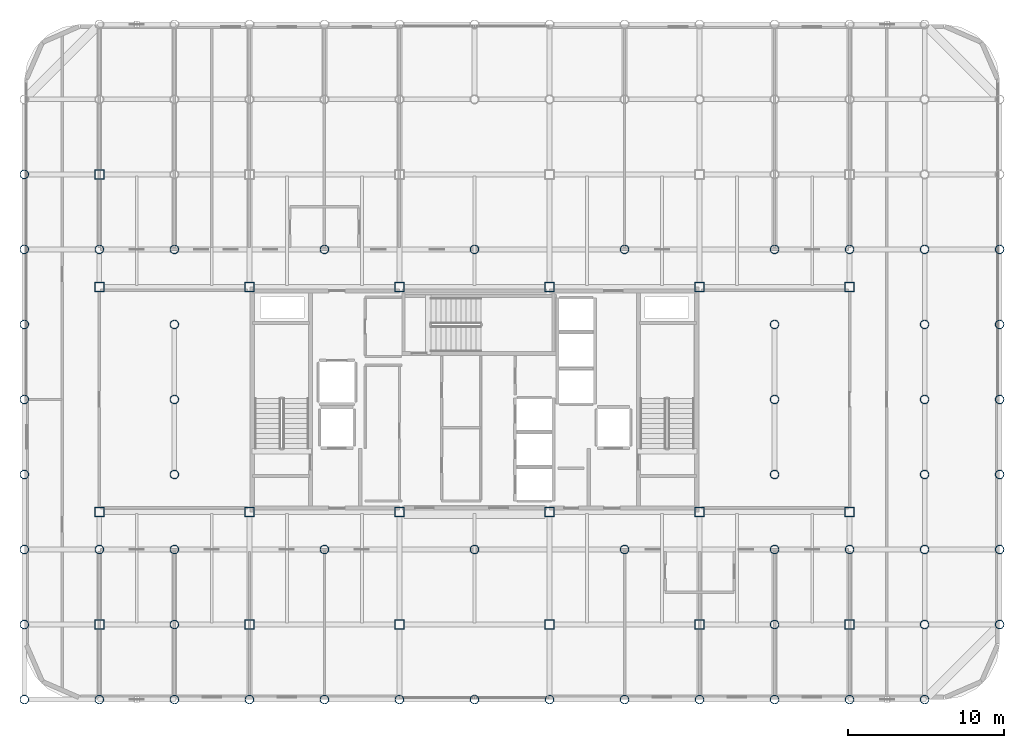
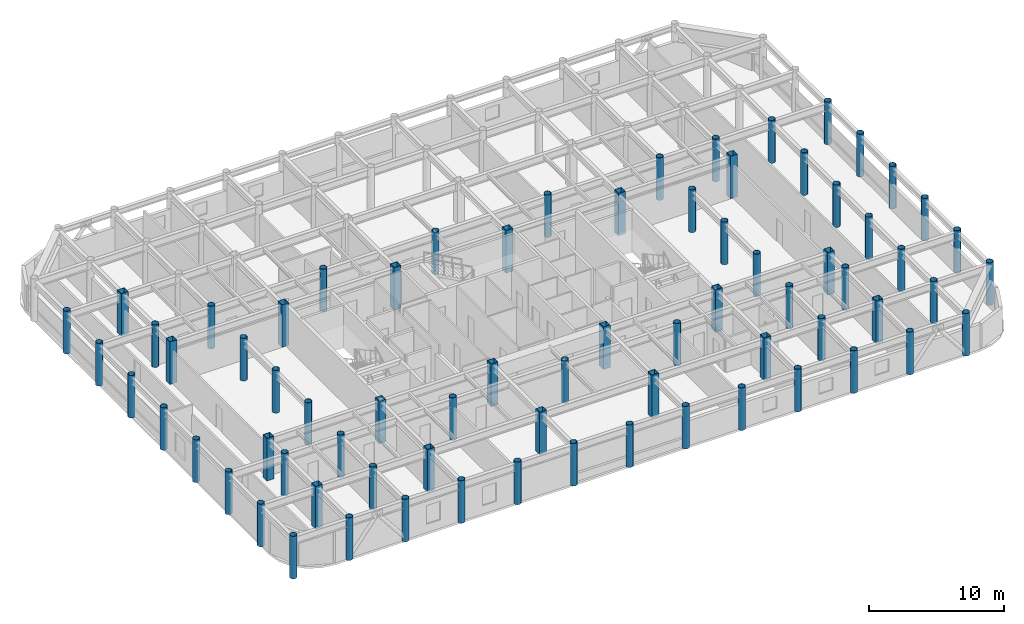
# One storey, part 1 of 22: 73 columns.
"""IFC4 building model written with IfcOpenShell, lengths in metres."""

from ifc_helpers import new_model, si_unit, direction, frame, origin, origin_2d, place, context, subcontext, project, spatial, hollow_rectangle, hollow_circle, extrude, material, material_profile, profile_set, type_object, element, save


model = new_model("IFC4")

# Units and contexts
model_context = context("Model", 3, precision=1e-05, world=origin(), true_north=direction((0.0, 1.0)))
body_context = subcontext(model_context, "Body", "Model", "MODEL_VIEW")
ifc_project = project(units=[si_unit("LENGTHUNIT", "METRE"), si_unit("AREAUNIT", "SQUARE_METRE"), si_unit("VOLUMEUNIT", "CUBIC_METRE"), si_unit("PLANEANGLEUNIT", "RADIAN"), si_unit("MASSUNIT", "GRAM", prefix="KILO")], contexts=[model_context])

# Site, building, storey
site_placement = place(None, origin())
site = spatial("IfcSite", under=ifc_project, at=site_placement, CompositionType="ELEMENT")
building_placement = place(site_placement, origin())
building = spatial("IfcBuilding", under=site, at=building_placement, Name="Kallvorn Hotel Tower", CompositionType="ELEMENT")
storey_placement = place(building_placement, frame((0.0, 0.0, 230.0)))
storey = spatial("IfcBuildingStorey", under=building, at=storey_placement, Name="L57", CompositionType="ELEMENT", Elevation=230.0)

# Columns
ifc_material_1 = material(Name="Structural steel S355J2H", Category="steel")
ifc_material_profile_1 = material_profile(ifc_material_1, hollow_circle(Radius=0.279541015625, WallThickness=0.02490234375, at=origin_2d()), Name="CHS 559x25")
ifc_profile_set_1 = profile_set([ifc_material_profile_1], Name="Structural steel S355J2H")
column_type_1 = type_object("IfcColumnType", Name="COL_CHS_559", PredefinedType="COLUMN", material=ifc_profile_set_1)
for number, where, z_axis, x_axis, name in (
    (1, (-28.800048828125, -19.199951171875, 0.0), (0.0, 0.0, 1.0), (1.0, 0.0, 0.0), "L57 Exoskeleton Column EC01"),
    (2, (-28.800048828125, -14.39990234375, 0.0), (0.0, 0.0, 1.0), (1.0, 0.0, 0.0), "L57 Exoskeleton Column EC02"),
    (3, (-28.800048828125, -9.60009765625, 0.0), (0.0, 0.0, 1.0), (1.0, 0.0, 0.0), "L57 Exoskeleton Column EC03"),
    (4, (-28.800048828125, -4.800048828125, 0.0), (0.0, 0.0, 1.0), (1.0, 0.0, 0.0), "L57 Exoskeleton Column EC04"),
    (5, (-28.800048828125, 0.0, 0.0), (0.0, 0.0, 1.0), (1.0, 0.0, 0.0), "L57 Exoskeleton Column EC05"),
    (6, (-28.800048828125, 4.800048828125, 0.0), (0.0, 0.0, 1.0), (1.0, 0.0, 0.0), "L57 Exoskeleton Column EC06"),
    (7, (-28.800048828125, 9.60009765625, 0.0), (0.0, 0.0, 1.0), (1.0, 0.0, 0.0), "L57 Exoskeleton Column EC07"),
    (8, (-28.800048828125, 14.39990234375, 0.0), (0.0, 0.0, 1.0), (1.0, 0.0, 0.0), "L57 Exoskeleton Column EC08"),
    (9, (-24.0, -19.199951171875, 0.0), (0.0, 0.0, 1.0), (1.0, 0.0, 0.0), "L57 Exoskeleton Column EC10"),
    (10, (-24.0, -9.60009765625, 0.0), (0.0, 0.0, 1.0), (1.0, 0.0, 0.0), "L57 Exoskeleton Column EC11"),
    (11, (-24.0, 9.60009765625, 0.0), (0.0, 0.0, 1.0), (1.0, 0.0, 0.0), "L57 Exoskeleton Column EC12"),
    (12, (-19.199951171875, -19.199951171875, 0.0), (0.0, 0.0, 1.0), (1.0, 0.0, 0.0), "L57 Exoskeleton Column EC15"),
    (13, (-19.199951171875, -14.39990234375, 0.0), (0.0, 0.0, 1.0), (1.0, 0.0, 0.0), "L57 Exoskeleton Column EC16"),
    (14, (-19.199951171875, -9.60009765625, 0.0), (0.0, 0.0, 1.0), (1.0, 0.0, 0.0), "L57 Exoskeleton Column EC17"),
    (15, (-19.199951171875, -4.800048828125, 0.0), (0.0, 0.0, 1.0), (1.0, 0.0, 0.0), "L57 Exoskeleton Column EC18"),
    (16, (-19.199951171875, 0.0, 0.0), (0.0, 0.0, 1.0), (1.0, 0.0, 0.0), "L57 Exoskeleton Column EC19"),
    (17, (-19.199951171875, 4.800048828125, 0.0), (0.0, 0.0, 1.0), (1.0, 0.0, 0.0), "L57 Exoskeleton Column EC20"),
    (18, (-19.199951171875, 9.60009765625, 0.0), (0.0, 0.0, 1.0), (1.0, 0.0, 0.0), "L57 Exoskeleton Column EC21"),
    (19, (-14.39990234375, -19.199951171875, 0.0), (0.0, 0.0, 1.0), (1.0, 0.0, 0.0), "L57 Exoskeleton Column EC25"),
    (20, (-9.60009765625, -19.199951171875, 0.0), (0.0, 0.0, 1.0), (1.0, 0.0, 0.0), "L57 Exoskeleton Column EC28"),
    (21, (-9.60009765625, -9.60009765625, 0.0), (0.0, 0.0, 1.0), (1.0, 0.0, 0.0), "L57 Exoskeleton Column EC29"),
    (22, (-9.60009765625, 9.60009765625, 0.0), (0.0, 0.0, 1.0), (1.0, 0.0, 0.0), "L57 Exoskeleton Column EC30"),
    (23, (-4.800048828125, -19.199951171875, 0.0), (0.0, 0.0, 1.0), (1.0, 0.0, 0.0), "L57 Exoskeleton Column EC33"),
    (24, (0.0, -19.199951171875, 0.0), (0.0, 0.0, 1.0), (1.0, 0.0, 0.0), "L57 Exoskeleton Column EC36"),
    (25, (0.0, -9.60009765625, 0.0), (0.0, 0.0, 1.0), (1.0, 0.0, 0.0), "L57 Exoskeleton Column EC37"),
    (26, (0.0, 9.60009765625, 0.0), (0.0, 0.0, 1.0), (1.0, 0.0, 0.0), "L57 Exoskeleton Column EC38"),
    (27, (4.800048828125, -19.199951171875, 0.0), (0.0, 0.0, 1.0), (1.0, 0.0, 0.0), "L57 Exoskeleton Column EC41"),
    (28, (9.60009765625, -19.199951171875, 0.0), (0.0, 0.0, 1.0), (1.0, 0.0, 0.0), "L57 Exoskeleton Column EC44"),
    (29, (9.60009765625, -9.60009765625, 0.0), (0.0, 0.0, 1.0), (1.0, 0.0, 0.0), "L57 Exoskeleton Column EC45"),
    (30, (9.60009765625, 9.60009765625, 0.0), (0.0, 0.0, 1.0), (1.0, 0.0, 0.0), "L57 Exoskeleton Column EC46"),
    (31, (14.39990234375, -19.199951171875, 0.0), (0.0, 0.0, 1.0), (1.0, 0.0, 0.0), "L57 Exoskeleton Column EC49"),
    (32, (19.199951171875, -19.199951171875, 0.0), (0.0, 0.0, 1.0), (1.0, 0.0, 0.0), "L57 Exoskeleton Column EC52"),
    (33, (19.199951171875, -14.39990234375, 0.0), (0.0, 0.0, 1.0), (1.0, 0.0, 0.0), "L57 Exoskeleton Column EC53"),
    (34, (19.199951171875, -9.60009765625, 0.0), (0.0, 0.0, 1.0), (1.0, 0.0, 0.0), "L57 Exoskeleton Column EC54"),
    (35, (19.199951171875, -4.800048828125, 0.0), (0.0, 0.0, 1.0), (1.0, 0.0, 0.0), "L57 Exoskeleton Column EC55"),
    (36, (19.199951171875, 0.0, 0.0), (0.0, 0.0, 1.0), (1.0, 0.0, 0.0), "L57 Exoskeleton Column EC56"),
    (37, (19.199951171875, 4.800048828125, 0.0), (0.0, 0.0, 1.0), (1.0, 0.0, 0.0), "L57 Exoskeleton Column EC57"),
    (38, (19.199951171875, 9.60009765625, 0.0), (0.0, 0.0, 1.0), (1.0, 0.0, 0.0), "L57 Exoskeleton Column EC58"),
    (39, (24.0, -19.199951171875, 0.0), (0.0, 0.0, 1.0), (1.0, 0.0, 0.0), "L57 Exoskeleton Column EC62"),
    (40, (24.0, -9.60009765625, 0.0), (0.0, 0.0, 1.0), (1.0, 0.0, 0.0), "L57 Exoskeleton Column EC63"),
    (41, (24.0, 9.60009765625, 0.0), (0.0, 0.0, 1.0), (1.0, 0.0, 0.0), "L57 Exoskeleton Column EC64"),
    (42, (28.800048828125, -19.199951171875, 0.0), (0.0, 0.0, 1.0), (1.0, 0.0, 0.0), "L57 Exoskeleton Column EC67"),
    (43, (28.800048828125, -14.39990234375, 0.0), (0.0, 0.0, 1.0), (1.0, 0.0, 0.0), "L57 Exoskeleton Column EC68"),
    (44, (28.800048828125, -9.60009765625, 0.0), (0.0, 0.0, 1.0), (1.0, 0.0, 0.0), "L57 Exoskeleton Column EC69"),
    (45, (28.800048828125, -4.800048828125, 0.0), (0.0, 0.0, 1.0), (1.0, 0.0, 0.0), "L57 Exoskeleton Column EC70"),
    (46, (28.800048828125, 0.0, 0.0), (0.0, 0.0, 1.0), (1.0, 0.0, 0.0), "L57 Exoskeleton Column EC71"),
    (47, (28.800048828125, 4.800048828125, 0.0), (0.0, 0.0, 1.0), (1.0, 0.0, 0.0), "L57 Exoskeleton Column EC72"),
    (48, (28.800048828125, 9.60009765625, 0.0), (0.0, 0.0, 1.0), (1.0, 0.0, 0.0), "L57 Exoskeleton Column EC73"),
    (49, (33.60009765625, -14.39990234375, 0.0), (0.0, 0.0, 1.0), (1.0, 0.0, 0.0), "L57 Exoskeleton Column EC77"),
    (50, (33.60009765625, -9.60009765625, 0.0), (0.0, 0.0, 1.0), (1.0, 0.0, 0.0), "L57 Exoskeleton Column EC78"),
    (51, (33.60009765625, -4.800048828125, 0.0), (0.0, 0.0, 1.0), (1.0, 0.0, 0.0), "L57 Exoskeleton Column EC79"),
    (52, (33.60009765625, 0.0, 0.0), (0.0, 0.0, 1.0), (1.0, 0.0, 0.0), "L57 Exoskeleton Column EC80"),
    (53, (33.60009765625, 4.800048828125, 0.0), (0.0, 0.0, 1.0), (1.0, 0.0, 0.0), "L57 Exoskeleton Column EC81"),
    (54, (33.60009765625, 9.60009765625, 0.0), (0.0, 0.0, 1.0), (1.0, 0.0, 0.0), "L57 Exoskeleton Column EC82"),
):
    element("IfcColumn", number, at=place(storey_placement, frame(where, z_axis=z_axis, x_axis=x_axis)), inside=storey, type_object=column_type_1, Name=name, PredefinedType="COLUMN", context=body_context, shape_type="SweptSolid", body=[
        extrude(hollow_circle(Radius=0.279541015625, WallThickness=0.02490234375, at=origin_2d()), origin(), (0.0, 0.0, 1.0), 3.85009765625),
    ])
ifc_material_2 = material(Name="Structural steel S355J2H", Category="steel")
ifc_material_profile_2 = material_profile(ifc_material_2, hollow_rectangle(XDim=0.60009765625, YDim=0.60009765625, WallThickness=0.028076171875, at=origin_2d()), Name="RHS 600x600x28")
ifc_profile_set_2 = profile_set([ifc_material_profile_2], Name="Structural steel S355J2H")
column_type_2 = type_object("IfcColumnType", Name="COL_RHS_600", PredefinedType="COLUMN", material=ifc_profile_set_2)
for number, where, z_axis, x_axis, name in (
    (55, (-24.0, -14.39990234375, 0.0), (0.0, 0.0, 1.0), (1.0, 0.0, 0.0), "L57 Inner Column IC01"),
    (56, (-24.0, -7.199951171875, 0.0), (0.0, 0.0, 1.0), (1.0, 0.0, 0.0), "L57 Inner Column IC02"),
    (57, (-24.0, 7.199951171875, 0.0), (0.0, 0.0, 1.0), (1.0, 0.0, 0.0), "L57 Inner Column IC03"),
    (58, (-24.0, 14.39990234375, 0.0), (0.0, 0.0, 1.0), (1.0, 0.0, 0.0), "L57 Inner Column IC04"),
    (59, (-14.39990234375, -14.39990234375, 0.0), (0.0, 0.0, 1.0), (1.0, 0.0, 0.0), "L57 Inner Column IC05"),
    (60, (-14.39990234375, -7.199951171875, 0.0), (0.0, 0.0, 1.0), (1.0, 0.0, 0.0), "L57 Inner Column IC06"),
    (61, (-14.39990234375, 7.199951171875, 0.0), (0.0, 0.0, 1.0), (1.0, 0.0, 0.0), "L57 Inner Column IC07"),
    (62, (-4.800048828125, -14.39990234375, 0.0), (0.0, 0.0, 1.0), (1.0, 0.0, 0.0), "L57 Inner Column IC09"),
    (63, (-4.800048828125, -7.199951171875, 0.0), (0.0, 0.0, 1.0), (1.0, 0.0, 0.0), "L57 Inner Column IC10"),
    (64, (-4.800048828125, 7.199951171875, 0.0), (0.0, 0.0, 1.0), (1.0, 0.0, 0.0), "L57 Inner Column IC11"),
    (65, (4.800048828125, -14.39990234375, 0.0), (0.0, 0.0, 1.0), (1.0, 0.0, 0.0), "L57 Inner Column IC13"),
    (66, (4.800048828125, -7.199951171875, 0.0), (0.0, 0.0, 1.0), (1.0, 0.0, 0.0), "L57 Inner Column IC14"),
    (67, (4.800048828125, 7.199951171875, 0.0), (0.0, 0.0, 1.0), (1.0, 0.0, 0.0), "L57 Inner Column IC15"),
    (68, (14.39990234375, -14.39990234375, 0.0), (0.0, 0.0, 1.0), (1.0, 0.0, 0.0), "L57 Inner Column IC17"),
    (69, (14.39990234375, -7.199951171875, 0.0), (0.0, 0.0, 1.0), (1.0, 0.0, 0.0), "L57 Inner Column IC18"),
    (70, (14.39990234375, 7.199951171875, 0.0), (0.0, 0.0, 1.0), (1.0, 0.0, 0.0), "L57 Inner Column IC19"),
    (71, (24.0, -14.39990234375, 0.0), (0.0, 0.0, 1.0), (1.0, 0.0, 0.0), "L57 Inner Column IC21"),
    (72, (24.0, -7.199951171875, 0.0), (0.0, 0.0, 1.0), (1.0, 0.0, 0.0), "L57 Inner Column IC22"),
    (73, (24.0, 7.199951171875, 0.0), (0.0, 0.0, 1.0), (1.0, 0.0, 0.0), "L57 Inner Column IC23"),
):
    element("IfcColumn", number, at=place(storey_placement, frame(where, z_axis=z_axis, x_axis=x_axis)), inside=storey, type_object=column_type_2, Name=name, PredefinedType="COLUMN", context=body_context, shape_type="SweptSolid", body=[
        extrude(hollow_rectangle(XDim=0.60009765625, YDim=0.60009765625, WallThickness=0.028076171875, at=origin_2d()), origin(), (0.0, 0.0, 1.0), 3.85009765625),
    ])

save(model, "model.ifc")
